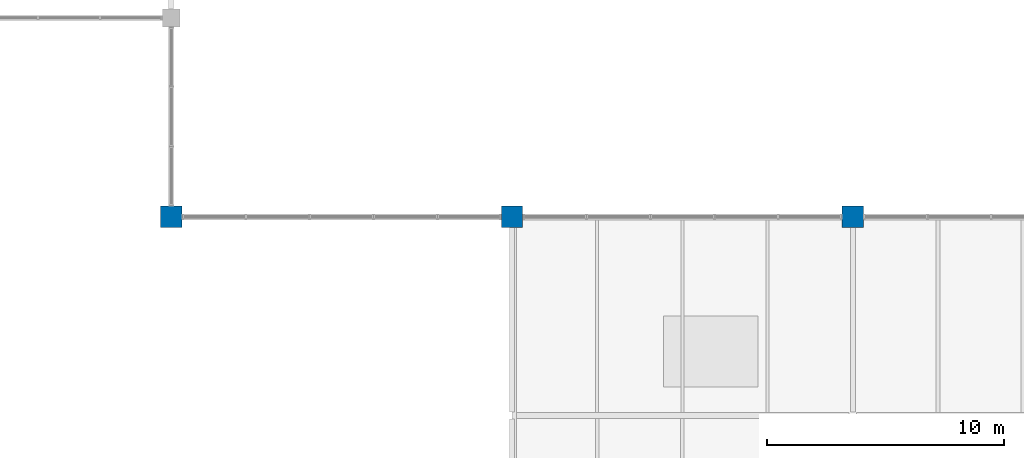
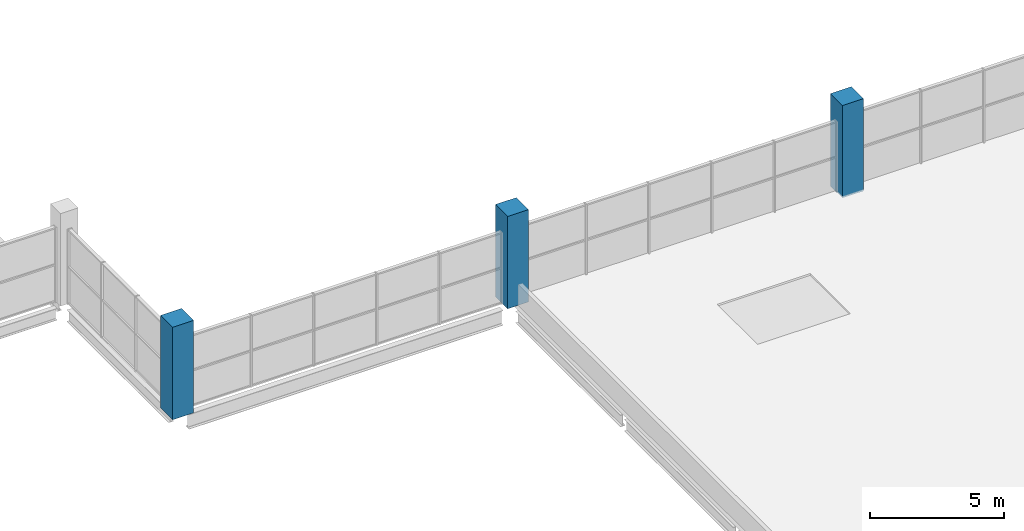
# One storey, part 1 of 93: 3 columns.
"""IFC4 building model written with IfcOpenShell, lengths in metres."""

from ifc_helpers import new_model, si_unit, direction, frame, origin, origin_2d, place, context, subcontext, project, spatial, rectangle, extrude, material, material_profile, profile_set, type_object, element, save


model = new_model("IFC4")

# Units and contexts
model_context = context("Model", 3, precision=1e-05, world=origin(), true_north=direction((0.0, 1.0)))
body_context = subcontext(model_context, "Body", "Model", "MODEL_VIEW")
ifc_project = project(units=[si_unit("LENGTHUNIT", "METRE"), si_unit("AREAUNIT", "SQUARE_METRE"), si_unit("VOLUMEUNIT", "CUBIC_METRE"), si_unit("PLANEANGLEUNIT", "RADIAN"), si_unit("MASSUNIT", "GRAM", prefix="KILO"), si_unit("THERMODYNAMICTEMPERATUREUNIT", "KELVIN")], contexts=[model_context])

# Site, building, storey
site_placement = place(None, origin())
site = spatial("IfcSite", under=ifc_project, at=site_placement, CompositionType="ELEMENT")
building_placement = place(site_placement, origin())
building = spatial("IfcBuilding", under=site, at=building_placement, Name="Nduvali Passage Aquatics Centre", CompositionType="ELEMENT")
storey_placement = place(building_placement, frame((0.0, 0.0, 9.0)))
storey = spatial("IfcBuildingStorey", under=building, at=storey_placement, Name="L02", CompositionType="ELEMENT", Elevation=9.0)

# Columns
ifc_material = material(Name="Concrete C40/50", Category="concrete")
ifc_material_profile = material_profile(ifc_material, rectangle(XDim=0.89990234375, YDim=0.89990234375, at=origin_2d()), Name="RC 900x900")
ifc_profile_set = profile_set([ifc_material_profile], Name="Concrete C40/50")
column_type = type_object("IfcColumnType", Name="STR-COL-RC900-EXT", PredefinedType="COLUMN", material=ifc_profile_set)
for number, where, z_axis, x_axis, name in (
    (1, (25.199951171875, 25.199951171875, 0.0), (0.0, 0.0, 1.0), (1.0, 0.0, 0.0), "L02 Column C1E (25.2, 25.2)"),
    (2, (39.60009765625, 25.199951171875, 0.0), (0.0, 0.0, 1.0), (1.0, 0.0, 0.0), "L02 Column C1E (39.6, 25.2)"),
    (3, (54.0, 25.199951171875, 0.0), (0.0, 0.0, 1.0), (1.0, 0.0, 0.0), "L02 Column C1E (54.0, 25.2)"),
):
    element("IfcColumn", number, at=place(storey_placement, frame(where, z_axis=z_axis, x_axis=x_axis)), inside=storey, type_object=column_type, Name=name, PredefinedType="COLUMN", context=body_context, shape_type="SweptSolid", body=[
        extrude(rectangle(XDim=0.89990234375, YDim=0.89990234375, at=origin_2d()), origin(), (0.0, 0.0, 1.0), 4.199951171875),
    ])

save(model, "model.ifc")
